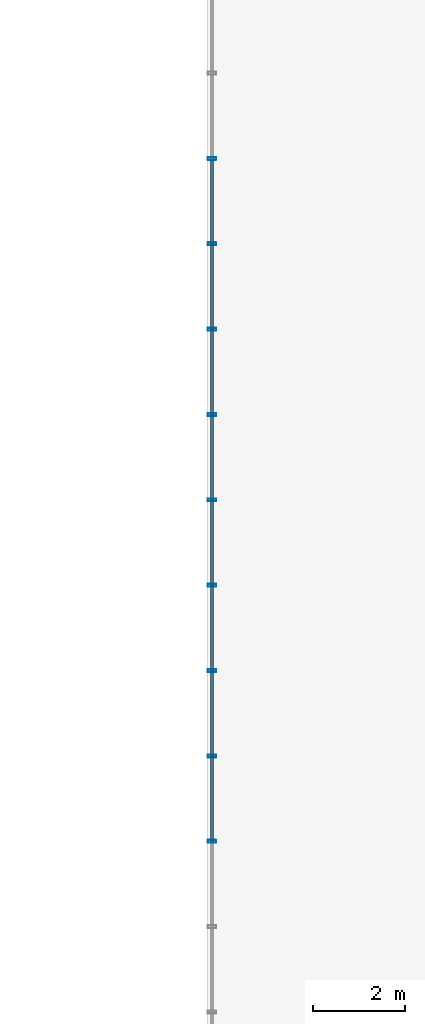
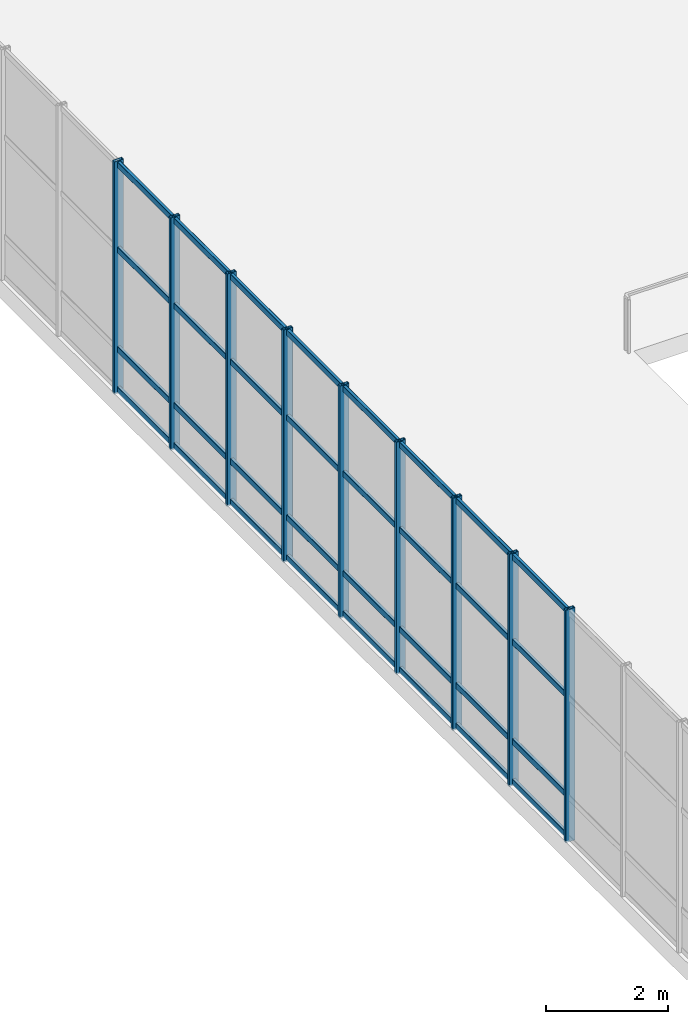
# One storey, part 108 of 176: 41 members, 2 elements without a shape of their own.
"""IFC4 building model written with IfcOpenShell, lengths in metres."""

from ifc_helpers import new_model, si_unit, direction, frame, origin, origin_2d, place, context, subcontext, project, spatial, hollow_rectangle, extrude, material, layer, layer_set, material_profile, profile_set, type_object, element, aggregate, save


model = new_model("IFC4")

# Units and contexts
model_context = context("Model", 3, precision=1e-05, world=origin(), true_north=direction((0.0, 1.0)))
body_context = subcontext(model_context, "Body", "Model", "MODEL_VIEW")
ifc_project = project(units=[si_unit("LENGTHUNIT", "METRE"), si_unit("AREAUNIT", "SQUARE_METRE"), si_unit("VOLUMEUNIT", "CUBIC_METRE"), si_unit("PLANEANGLEUNIT", "RADIAN"), si_unit("MASSUNIT", "GRAM", prefix="KILO")], contexts=[model_context])

# Site, building, storey
site_placement = place(None, origin())
site = spatial("IfcSite", under=ifc_project, at=site_placement, CompositionType="ELEMENT")
building_placement = place(site_placement, origin())
building = spatial("IfcBuilding", under=site, at=building_placement, Name="Khorjan Park Terminus", CompositionType="ELEMENT")
storey_placement = place(building_placement, frame((0.0, 0.0, 6.0)))
storey = spatial("IfcBuildingStorey", under=building, at=storey_placement, Name="L01", CompositionType="ELEMENT", Elevation=6.0)

# Curtain wall, members
ifc_material = material(Name="Anodized Bronze Aluminium", Category="aluminium")
ifc_layer = layer(ifc_material, 0.22)
ifc_layer_set = layer_set([ifc_layer], Name="Anodized Bronze Aluminium")
curtain_wall_type = type_object("IfcCurtainWallType", Name="CW-BRG-D", PredefinedType="NOTDEFINED", material=ifc_layer_set)
curtain_wall_1_placement = place(storey_placement, origin())
curtain_wall_1 = element("IfcCurtainWall", 1, at=curtain_wall_1_placement, inside=storey, type_object=curtain_wall_type, Name="Unitized curtain wall CW-D (CW-BRE-W-2)", PredefinedType="NOTDEFINED")
ifc_material_profile_1 = material_profile(ifc_material, hollow_rectangle(XDim=0.065, YDim=0.18, WallThickness=0.004, InnerFilletRadius=0.004, OuterFilletRadius=0.008, at=origin_2d()), Name="ALM 65x180x4")
ifc_profile_set_1 = profile_set([ifc_material_profile_1], Name="Anodized Bronze Aluminium")
member_type_1 = type_object("IfcMemberType", Name="ML-ALM-180", PredefinedType="MULLION", material=ifc_profile_set_1)
member_1_placement = place(storey_placement, frame((98.1, 128.0, -0.035), z_axis=(0.0, 0.0, 1.0), x_axis=(0.0, -1.0, 0.0)))
member_1 = element("IfcMember", 2, at=member_1_placement, type_object=member_type_1, Name="Curtain-wall mullion ML-18 (CW-BRE-W-2-0)", PredefinedType="MULLION", context=body_context, shape_type="SweptSolid", body=[
    extrude(hollow_rectangle(XDim=0.065, YDim=0.18, WallThickness=0.004, InnerFilletRadius=0.004, OuterFilletRadius=0.008, at=origin_2d()), origin(), (0.0, 0.0, 1.0), 4.67),
])
member_2_placement = place(storey_placement, frame((98.1, 126.1429, -0.035), z_axis=(0.0, 0.0, 1.0), x_axis=(0.0, -1.0, 0.0)))
member_2 = element("IfcMember", 3, at=member_2_placement, type_object=member_type_1, Name="Curtain-wall mullion ML-18 (CW-BRE-W-2-1)", PredefinedType="MULLION", context=body_context, shape_type="SweptSolid", body=[
    extrude(hollow_rectangle(XDim=0.065, YDim=0.18, WallThickness=0.004, InnerFilletRadius=0.004, OuterFilletRadius=0.008, at=origin_2d()), origin(), (0.0, 0.0, 1.0), 4.67),
])
member_3_placement = place(storey_placement, frame((98.1, 124.2857, -0.035), z_axis=(0.0, 0.0, 1.0), x_axis=(0.0, -1.0, 0.0)))
member_3 = element("IfcMember", 4, at=member_3_placement, type_object=member_type_1, Name="Curtain-wall mullion ML-18 (CW-BRE-W-2-2)", PredefinedType="MULLION", context=body_context, shape_type="SweptSolid", body=[
    extrude(hollow_rectangle(XDim=0.065, YDim=0.18, WallThickness=0.004, InnerFilletRadius=0.004, OuterFilletRadius=0.008, at=origin_2d()), origin(), (0.0, 0.0, 1.0), 4.67),
])
member_4_placement = place(storey_placement, frame((98.1, 122.4286, -0.035), z_axis=(0.0, 0.0, 1.0), x_axis=(0.0, -1.0, 0.0)))
member_4 = element("IfcMember", 5, at=member_4_placement, type_object=member_type_1, Name="Curtain-wall mullion ML-18 (CW-BRE-W-2-3)", PredefinedType="MULLION", context=body_context, shape_type="SweptSolid", body=[
    extrude(hollow_rectangle(XDim=0.065, YDim=0.18, WallThickness=0.004, InnerFilletRadius=0.004, OuterFilletRadius=0.008, at=origin_2d()), origin(), (0.0, 0.0, 1.0), 4.67),
])
member_5_placement = place(storey_placement, frame((98.1, 120.5714, -0.035), z_axis=(0.0, 0.0, 1.0), x_axis=(0.0, -1.0, 0.0)))
member_5 = element("IfcMember", 6, at=member_5_placement, type_object=member_type_1, Name="Curtain-wall mullion ML-18 (CW-BRE-W-2-4)", PredefinedType="MULLION", context=body_context, shape_type="SweptSolid", body=[
    extrude(hollow_rectangle(XDim=0.065, YDim=0.18, WallThickness=0.004, InnerFilletRadius=0.004, OuterFilletRadius=0.008, at=origin_2d()), origin(), (0.0, 0.0, 1.0), 4.67),
])
member_6_placement = place(storey_placement, frame((98.1, 118.7143, -0.035), z_axis=(0.0, 0.0, 1.0), x_axis=(0.0, -1.0, 0.0)))
member_6 = element("IfcMember", 7, at=member_6_placement, type_object=member_type_1, Name="Curtain-wall mullion ML-18 (CW-BRE-W-2-5)", PredefinedType="MULLION", context=body_context, shape_type="SweptSolid", body=[
    extrude(hollow_rectangle(XDim=0.065, YDim=0.18, WallThickness=0.004, InnerFilletRadius=0.004, OuterFilletRadius=0.008, at=origin_2d()), origin(), (0.0, 0.0, 1.0), 4.67),
])

curtain_wall_2_placement = place(storey_placement, origin())
curtain_wall_2 = element("IfcCurtainWall", 8, at=curtain_wall_2_placement, inside=storey, type_object=curtain_wall_type, Name="Unitized curtain wall CW-D (CW-BRE-W-3)", PredefinedType="NOTDEFINED")
member_7_placement = place(storey_placement, frame((98.1, 133.5714, -0.035), z_axis=(0.0, 0.0, 1.0), x_axis=(0.0, -1.0, 0.0)))
member_7 = element("IfcMember", 9, at=member_7_placement, type_object=member_type_1, Name="Curtain-wall mullion ML-18 (CW-BRE-W-3-4)", PredefinedType="MULLION", context=body_context, shape_type="SweptSolid", body=[
    extrude(hollow_rectangle(XDim=0.065, YDim=0.18, WallThickness=0.004, InnerFilletRadius=0.004, OuterFilletRadius=0.008, at=origin_2d()), origin(), (0.0, 0.0, 1.0), 4.67),
])
member_8_placement = place(storey_placement, frame((98.1, 131.7143, -0.035), z_axis=(0.0, 0.0, 1.0), x_axis=(0.0, -1.0, 0.0)))
member_8 = element("IfcMember", 10, at=member_8_placement, type_object=member_type_1, Name="Curtain-wall mullion ML-18 (CW-BRE-W-3-5)", PredefinedType="MULLION", context=body_context, shape_type="SweptSolid", body=[
    extrude(hollow_rectangle(XDim=0.065, YDim=0.18, WallThickness=0.004, InnerFilletRadius=0.004, OuterFilletRadius=0.008, at=origin_2d()), origin(), (0.0, 0.0, 1.0), 4.67),
])
member_9_placement = place(storey_placement, frame((98.1, 129.8571, -0.035), z_axis=(0.0, 0.0, 1.0), x_axis=(0.0, -1.0, 0.0)))
member_9 = element("IfcMember", 11, at=member_9_placement, type_object=member_type_1, Name="Curtain-wall mullion ML-18 (CW-BRE-W-3-6)", PredefinedType="MULLION", context=body_context, shape_type="SweptSolid", body=[
    extrude(hollow_rectangle(XDim=0.065, YDim=0.18, WallThickness=0.004, InnerFilletRadius=0.004, OuterFilletRadius=0.008, at=origin_2d()), origin(), (0.0, 0.0, 1.0), 4.67),
])

# Member
ifc_material_profile_2 = material_profile(ifc_material, hollow_rectangle(XDim=0.06, YDim=0.12, WallThickness=0.004, InnerFilletRadius=0.004, OuterFilletRadius=0.008, at=origin_2d()), Name="ALT 60x120x4")
ifc_profile_set_2 = profile_set([ifc_material_profile_2], Name="Anodized Bronze Aluminium")
member_type_2 = type_object("IfcMemberType", Name="TR-ALT-120", PredefinedType="USERDEFINED", material=ifc_profile_set_2)
member_10_placement = place(storey_placement, frame((98.1, 128.0, 0.04), z_axis=(0.0, -1.0, 0.0), x_axis=(1.0, 0.0, 0.0)))
member_10 = element("IfcMember", 12, at=member_10_placement, type_object=member_type_2, Name="Curtain-wall transom TR-12 (CW-BRE-W-2-0-1)", ObjectType="TRANSOM", PredefinedType="USERDEFINED", context=body_context, shape_type="SweptSolid", body=[
    extrude(hollow_rectangle(XDim=0.06, YDim=0.12, WallThickness=0.004, InnerFilletRadius=0.004, OuterFilletRadius=0.008, at=origin_2d()), origin(), (0.0, 0.0, 1.0), 1.8571),
])

member_11_placement = place(storey_placement, frame((98.1, 128.0, 0.85), z_axis=(0.0, -1.0, 0.0), x_axis=(1.0, 0.0, 0.0)))
member_11 = element("IfcMember", 13, at=member_11_placement, type_object=member_type_2, Name="Curtain-wall transom TR-12 (CW-BRE-W-2-0-2)", ObjectType="TRANSOM", PredefinedType="USERDEFINED", context=body_context, shape_type="SweptSolid", body=[
    extrude(hollow_rectangle(XDim=0.06, YDim=0.12, WallThickness=0.004, InnerFilletRadius=0.004, OuterFilletRadius=0.008, at=origin_2d()), origin(), (0.0, 0.0, 1.0), 1.8571),
])

member_12_placement = place(storey_placement, frame((98.1, 128.0, 2.852), z_axis=(0.0, -1.0, 0.0), x_axis=(1.0, 0.0, 0.0)))
member_12 = element("IfcMember", 14, at=member_12_placement, type_object=member_type_2, Name="Curtain-wall transom TR-12 (CW-BRE-W-2-0-3)", ObjectType="TRANSOM", PredefinedType="USERDEFINED", context=body_context, shape_type="SweptSolid", body=[
    extrude(hollow_rectangle(XDim=0.06, YDim=0.12, WallThickness=0.004, InnerFilletRadius=0.004, OuterFilletRadius=0.008, at=origin_2d()), origin(), (0.0, 0.0, 1.0), 1.8571),
])

member_13_placement = place(storey_placement, frame((98.1, 128.0, 4.56), z_axis=(0.0, -1.0, 0.0), x_axis=(1.0, 0.0, 0.0)))
member_13 = element("IfcMember", 15, at=member_13_placement, type_object=member_type_2, Name="Curtain-wall transom TR-12 (CW-BRE-W-2-0-4)", ObjectType="TRANSOM", PredefinedType="USERDEFINED", context=body_context, shape_type="SweptSolid", body=[
    extrude(hollow_rectangle(XDim=0.06, YDim=0.12, WallThickness=0.004, InnerFilletRadius=0.004, OuterFilletRadius=0.008, at=origin_2d()), origin(), (0.0, 0.0, 1.0), 1.8571),
])

member_14_placement = place(storey_placement, frame((98.1, 126.1429, 0.04), z_axis=(0.0, -1.0, 0.0), x_axis=(1.0, 0.0, 0.0)))
member_14 = element("IfcMember", 16, at=member_14_placement, type_object=member_type_2, Name="Curtain-wall transom TR-12 (CW-BRE-W-2-1-1)", ObjectType="TRANSOM", PredefinedType="USERDEFINED", context=body_context, shape_type="SweptSolid", body=[
    extrude(hollow_rectangle(XDim=0.06, YDim=0.12, WallThickness=0.004, InnerFilletRadius=0.004, OuterFilletRadius=0.008, at=origin_2d()), origin(), (0.0, 0.0, 1.0), 1.8572),
])

member_15_placement = place(storey_placement, frame((98.1, 126.1429, 0.85), z_axis=(0.0, -1.0, 0.0), x_axis=(1.0, 0.0, 0.0)))
member_15 = element("IfcMember", 17, at=member_15_placement, type_object=member_type_2, Name="Curtain-wall transom TR-12 (CW-BRE-W-2-1-2)", ObjectType="TRANSOM", PredefinedType="USERDEFINED", context=body_context, shape_type="SweptSolid", body=[
    extrude(hollow_rectangle(XDim=0.06, YDim=0.12, WallThickness=0.004, InnerFilletRadius=0.004, OuterFilletRadius=0.008, at=origin_2d()), origin(), (0.0, 0.0, 1.0), 1.8572),
])

member_16_placement = place(storey_placement, frame((98.1, 126.1429, 2.852), z_axis=(0.0, -1.0, 0.0), x_axis=(1.0, 0.0, 0.0)))
member_16 = element("IfcMember", 18, at=member_16_placement, type_object=member_type_2, Name="Curtain-wall transom TR-12 (CW-BRE-W-2-1-3)", ObjectType="TRANSOM", PredefinedType="USERDEFINED", context=body_context, shape_type="SweptSolid", body=[
    extrude(hollow_rectangle(XDim=0.06, YDim=0.12, WallThickness=0.004, InnerFilletRadius=0.004, OuterFilletRadius=0.008, at=origin_2d()), origin(), (0.0, 0.0, 1.0), 1.8572),
])

member_17_placement = place(storey_placement, frame((98.1, 126.1429, 4.56), z_axis=(0.0, -1.0, 0.0), x_axis=(1.0, 0.0, 0.0)))
member_17 = element("IfcMember", 19, at=member_17_placement, type_object=member_type_2, Name="Curtain-wall transom TR-12 (CW-BRE-W-2-1-4)", ObjectType="TRANSOM", PredefinedType="USERDEFINED", context=body_context, shape_type="SweptSolid", body=[
    extrude(hollow_rectangle(XDim=0.06, YDim=0.12, WallThickness=0.004, InnerFilletRadius=0.004, OuterFilletRadius=0.008, at=origin_2d()), origin(), (0.0, 0.0, 1.0), 1.8572),
])

member_18_placement = place(storey_placement, frame((98.1, 124.2857, 0.04), z_axis=(0.0, -1.0, 0.0), x_axis=(1.0, 0.0, 0.0)))
member_18 = element("IfcMember", 20, at=member_18_placement, type_object=member_type_2, Name="Curtain-wall transom TR-12 (CW-BRE-W-2-2-1)", ObjectType="TRANSOM", PredefinedType="USERDEFINED", context=body_context, shape_type="SweptSolid", body=[
    extrude(hollow_rectangle(XDim=0.06, YDim=0.12, WallThickness=0.004, InnerFilletRadius=0.004, OuterFilletRadius=0.008, at=origin_2d()), origin(), (0.0, 0.0, 1.0), 1.8571),
])

member_19_placement = place(storey_placement, frame((98.1, 124.2857, 0.85), z_axis=(0.0, -1.0, 0.0), x_axis=(1.0, 0.0, 0.0)))
member_19 = element("IfcMember", 21, at=member_19_placement, type_object=member_type_2, Name="Curtain-wall transom TR-12 (CW-BRE-W-2-2-2)", ObjectType="TRANSOM", PredefinedType="USERDEFINED", context=body_context, shape_type="SweptSolid", body=[
    extrude(hollow_rectangle(XDim=0.06, YDim=0.12, WallThickness=0.004, InnerFilletRadius=0.004, OuterFilletRadius=0.008, at=origin_2d()), origin(), (0.0, 0.0, 1.0), 1.8571),
])

member_20_placement = place(storey_placement, frame((98.1, 124.2857, 2.852), z_axis=(0.0, -1.0, 0.0), x_axis=(1.0, 0.0, 0.0)))
member_20 = element("IfcMember", 22, at=member_20_placement, type_object=member_type_2, Name="Curtain-wall transom TR-12 (CW-BRE-W-2-2-3)", ObjectType="TRANSOM", PredefinedType="USERDEFINED", context=body_context, shape_type="SweptSolid", body=[
    extrude(hollow_rectangle(XDim=0.06, YDim=0.12, WallThickness=0.004, InnerFilletRadius=0.004, OuterFilletRadius=0.008, at=origin_2d()), origin(), (0.0, 0.0, 1.0), 1.8571),
])

member_21_placement = place(storey_placement, frame((98.1, 124.2857, 4.56), z_axis=(0.0, -1.0, 0.0), x_axis=(1.0, 0.0, 0.0)))
member_21 = element("IfcMember", 23, at=member_21_placement, type_object=member_type_2, Name="Curtain-wall transom TR-12 (CW-BRE-W-2-2-4)", ObjectType="TRANSOM", PredefinedType="USERDEFINED", context=body_context, shape_type="SweptSolid", body=[
    extrude(hollow_rectangle(XDim=0.06, YDim=0.12, WallThickness=0.004, InnerFilletRadius=0.004, OuterFilletRadius=0.008, at=origin_2d()), origin(), (0.0, 0.0, 1.0), 1.8571),
])

member_22_placement = place(storey_placement, frame((98.1, 122.4286, 0.04), z_axis=(0.0, -1.0, 0.0), x_axis=(1.0, 0.0, 0.0)))
member_22 = element("IfcMember", 24, at=member_22_placement, type_object=member_type_2, Name="Curtain-wall transom TR-12 (CW-BRE-W-2-3-1)", ObjectType="TRANSOM", PredefinedType="USERDEFINED", context=body_context, shape_type="SweptSolid", body=[
    extrude(hollow_rectangle(XDim=0.06, YDim=0.12, WallThickness=0.004, InnerFilletRadius=0.004, OuterFilletRadius=0.008, at=origin_2d()), origin(), (0.0, 0.0, 1.0), 1.8572),
])

member_23_placement = place(storey_placement, frame((98.1, 122.4286, 0.85), z_axis=(0.0, -1.0, 0.0), x_axis=(1.0, 0.0, 0.0)))
member_23 = element("IfcMember", 25, at=member_23_placement, type_object=member_type_2, Name="Curtain-wall transom TR-12 (CW-BRE-W-2-3-2)", ObjectType="TRANSOM", PredefinedType="USERDEFINED", context=body_context, shape_type="SweptSolid", body=[
    extrude(hollow_rectangle(XDim=0.06, YDim=0.12, WallThickness=0.004, InnerFilletRadius=0.004, OuterFilletRadius=0.008, at=origin_2d()), origin(), (0.0, 0.0, 1.0), 1.8572),
])

member_24_placement = place(storey_placement, frame((98.1, 122.4286, 2.852), z_axis=(0.0, -1.0, 0.0), x_axis=(1.0, 0.0, 0.0)))
member_24 = element("IfcMember", 26, at=member_24_placement, type_object=member_type_2, Name="Curtain-wall transom TR-12 (CW-BRE-W-2-3-3)", ObjectType="TRANSOM", PredefinedType="USERDEFINED", context=body_context, shape_type="SweptSolid", body=[
    extrude(hollow_rectangle(XDim=0.06, YDim=0.12, WallThickness=0.004, InnerFilletRadius=0.004, OuterFilletRadius=0.008, at=origin_2d()), origin(), (0.0, 0.0, 1.0), 1.8572),
])

member_25_placement = place(storey_placement, frame((98.1, 122.4286, 4.56), z_axis=(0.0, -1.0, 0.0), x_axis=(1.0, 0.0, 0.0)))
member_25 = element("IfcMember", 27, at=member_25_placement, type_object=member_type_2, Name="Curtain-wall transom TR-12 (CW-BRE-W-2-3-4)", ObjectType="TRANSOM", PredefinedType="USERDEFINED", context=body_context, shape_type="SweptSolid", body=[
    extrude(hollow_rectangle(XDim=0.06, YDim=0.12, WallThickness=0.004, InnerFilletRadius=0.004, OuterFilletRadius=0.008, at=origin_2d()), origin(), (0.0, 0.0, 1.0), 1.8572),
])

member_26_placement = place(storey_placement, frame((98.1, 120.5714, 0.04), z_axis=(0.0, -1.0, 0.0), x_axis=(1.0, 0.0, 0.0)))
member_26 = element("IfcMember", 28, at=member_26_placement, type_object=member_type_2, Name="Curtain-wall transom TR-12 (CW-BRE-W-2-4-1)", ObjectType="TRANSOM", PredefinedType="USERDEFINED", context=body_context, shape_type="SweptSolid", body=[
    extrude(hollow_rectangle(XDim=0.06, YDim=0.12, WallThickness=0.004, InnerFilletRadius=0.004, OuterFilletRadius=0.008, at=origin_2d()), origin(), (0.0, 0.0, 1.0), 1.8571),
])

member_27_placement = place(storey_placement, frame((98.1, 120.5714, 0.85), z_axis=(0.0, -1.0, 0.0), x_axis=(1.0, 0.0, 0.0)))
member_27 = element("IfcMember", 29, at=member_27_placement, type_object=member_type_2, Name="Curtain-wall transom TR-12 (CW-BRE-W-2-4-2)", ObjectType="TRANSOM", PredefinedType="USERDEFINED", context=body_context, shape_type="SweptSolid", body=[
    extrude(hollow_rectangle(XDim=0.06, YDim=0.12, WallThickness=0.004, InnerFilletRadius=0.004, OuterFilletRadius=0.008, at=origin_2d()), origin(), (0.0, 0.0, 1.0), 1.8571),
])

member_28_placement = place(storey_placement, frame((98.1, 120.5714, 2.852), z_axis=(0.0, -1.0, 0.0), x_axis=(1.0, 0.0, 0.0)))
member_28 = element("IfcMember", 30, at=member_28_placement, type_object=member_type_2, Name="Curtain-wall transom TR-12 (CW-BRE-W-2-4-3)", ObjectType="TRANSOM", PredefinedType="USERDEFINED", context=body_context, shape_type="SweptSolid", body=[
    extrude(hollow_rectangle(XDim=0.06, YDim=0.12, WallThickness=0.004, InnerFilletRadius=0.004, OuterFilletRadius=0.008, at=origin_2d()), origin(), (0.0, 0.0, 1.0), 1.8571),
])

member_29_placement = place(storey_placement, frame((98.1, 120.5714, 4.56), z_axis=(0.0, -1.0, 0.0), x_axis=(1.0, 0.0, 0.0)))
member_29 = element("IfcMember", 31, at=member_29_placement, type_object=member_type_2, Name="Curtain-wall transom TR-12 (CW-BRE-W-2-4-4)", ObjectType="TRANSOM", PredefinedType="USERDEFINED", context=body_context, shape_type="SweptSolid", body=[
    extrude(hollow_rectangle(XDim=0.06, YDim=0.12, WallThickness=0.004, InnerFilletRadius=0.004, OuterFilletRadius=0.008, at=origin_2d()), origin(), (0.0, 0.0, 1.0), 1.8571),
])

aggregate(curtain_wall_1, [member_1, member_2, member_3, member_4, member_5, member_6, member_10, member_11, member_12, member_13, member_14, member_15, member_16, member_17, member_18, member_19, member_20, member_21, member_22, member_23, member_24, member_25, member_26, member_27, member_28, member_29])

member_30_placement = place(storey_placement, frame((98.1, 133.5714, 0.04), z_axis=(0.0, -1.0, 0.0), x_axis=(1.0, 0.0, 0.0)))
member_30 = element("IfcMember", 32, at=member_30_placement, type_object=member_type_2, Name="Curtain-wall transom TR-12 (CW-BRE-W-3-4-1)", ObjectType="TRANSOM", PredefinedType="USERDEFINED", context=body_context, shape_type="SweptSolid", body=[
    extrude(hollow_rectangle(XDim=0.06, YDim=0.12, WallThickness=0.004, InnerFilletRadius=0.004, OuterFilletRadius=0.008, at=origin_2d()), origin(), (0.0, 0.0, 1.0), 1.8571),
])

member_31_placement = place(storey_placement, frame((98.1, 133.5714, 0.85), z_axis=(0.0, -1.0, 0.0), x_axis=(1.0, 0.0, 0.0)))
member_31 = element("IfcMember", 33, at=member_31_placement, type_object=member_type_2, Name="Curtain-wall transom TR-12 (CW-BRE-W-3-4-2)", ObjectType="TRANSOM", PredefinedType="USERDEFINED", context=body_context, shape_type="SweptSolid", body=[
    extrude(hollow_rectangle(XDim=0.06, YDim=0.12, WallThickness=0.004, InnerFilletRadius=0.004, OuterFilletRadius=0.008, at=origin_2d()), origin(), (0.0, 0.0, 1.0), 1.8571),
])

member_32_placement = place(storey_placement, frame((98.1, 133.5714, 2.852), z_axis=(0.0, -1.0, 0.0), x_axis=(1.0, 0.0, 0.0)))
member_32 = element("IfcMember", 34, at=member_32_placement, type_object=member_type_2, Name="Curtain-wall transom TR-12 (CW-BRE-W-3-4-3)", ObjectType="TRANSOM", PredefinedType="USERDEFINED", context=body_context, shape_type="SweptSolid", body=[
    extrude(hollow_rectangle(XDim=0.06, YDim=0.12, WallThickness=0.004, InnerFilletRadius=0.004, OuterFilletRadius=0.008, at=origin_2d()), origin(), (0.0, 0.0, 1.0), 1.8571),
])

member_33_placement = place(storey_placement, frame((98.1, 133.5714, 4.56), z_axis=(0.0, -1.0, 0.0), x_axis=(1.0, 0.0, 0.0)))
member_33 = element("IfcMember", 35, at=member_33_placement, type_object=member_type_2, Name="Curtain-wall transom TR-12 (CW-BRE-W-3-4-4)", ObjectType="TRANSOM", PredefinedType="USERDEFINED", context=body_context, shape_type="SweptSolid", body=[
    extrude(hollow_rectangle(XDim=0.06, YDim=0.12, WallThickness=0.004, InnerFilletRadius=0.004, OuterFilletRadius=0.008, at=origin_2d()), origin(), (0.0, 0.0, 1.0), 1.8571),
])

member_34_placement = place(storey_placement, frame((98.1, 131.7143, 0.04), z_axis=(0.0, -1.0, 0.0), x_axis=(1.0, 0.0, 0.0)))
member_34 = element("IfcMember", 36, at=member_34_placement, type_object=member_type_2, Name="Curtain-wall transom TR-12 (CW-BRE-W-3-5-1)", ObjectType="TRANSOM", PredefinedType="USERDEFINED", context=body_context, shape_type="SweptSolid", body=[
    extrude(hollow_rectangle(XDim=0.06, YDim=0.12, WallThickness=0.004, InnerFilletRadius=0.004, OuterFilletRadius=0.008, at=origin_2d()), origin(), (0.0, 0.0, 1.0), 1.8572),
])

member_35_placement = place(storey_placement, frame((98.1, 131.7143, 0.85), z_axis=(0.0, -1.0, 0.0), x_axis=(1.0, 0.0, 0.0)))
member_35 = element("IfcMember", 37, at=member_35_placement, type_object=member_type_2, Name="Curtain-wall transom TR-12 (CW-BRE-W-3-5-2)", ObjectType="TRANSOM", PredefinedType="USERDEFINED", context=body_context, shape_type="SweptSolid", body=[
    extrude(hollow_rectangle(XDim=0.06, YDim=0.12, WallThickness=0.004, InnerFilletRadius=0.004, OuterFilletRadius=0.008, at=origin_2d()), origin(), (0.0, 0.0, 1.0), 1.8572),
])

member_36_placement = place(storey_placement, frame((98.1, 131.7143, 2.852), z_axis=(0.0, -1.0, 0.0), x_axis=(1.0, 0.0, 0.0)))
member_36 = element("IfcMember", 38, at=member_36_placement, type_object=member_type_2, Name="Curtain-wall transom TR-12 (CW-BRE-W-3-5-3)", ObjectType="TRANSOM", PredefinedType="USERDEFINED", context=body_context, shape_type="SweptSolid", body=[
    extrude(hollow_rectangle(XDim=0.06, YDim=0.12, WallThickness=0.004, InnerFilletRadius=0.004, OuterFilletRadius=0.008, at=origin_2d()), origin(), (0.0, 0.0, 1.0), 1.8572),
])

member_37_placement = place(storey_placement, frame((98.1, 131.7143, 4.56), z_axis=(0.0, -1.0, 0.0), x_axis=(1.0, 0.0, 0.0)))
member_37 = element("IfcMember", 39, at=member_37_placement, type_object=member_type_2, Name="Curtain-wall transom TR-12 (CW-BRE-W-3-5-4)", ObjectType="TRANSOM", PredefinedType="USERDEFINED", context=body_context, shape_type="SweptSolid", body=[
    extrude(hollow_rectangle(XDim=0.06, YDim=0.12, WallThickness=0.004, InnerFilletRadius=0.004, OuterFilletRadius=0.008, at=origin_2d()), origin(), (0.0, 0.0, 1.0), 1.8572),
])

member_38_placement = place(storey_placement, frame((98.1, 129.8571, 0.04), z_axis=(0.0, -1.0, 0.0), x_axis=(1.0, 0.0, 0.0)))
member_38 = element("IfcMember", 40, at=member_38_placement, type_object=member_type_2, Name="Curtain-wall transom TR-12 (CW-BRE-W-3-6-1)", ObjectType="TRANSOM", PredefinedType="USERDEFINED", context=body_context, shape_type="SweptSolid", body=[
    extrude(hollow_rectangle(XDim=0.06, YDim=0.12, WallThickness=0.004, InnerFilletRadius=0.004, OuterFilletRadius=0.008, at=origin_2d()), origin(), (0.0, 0.0, 1.0), 1.8571),
])

member_39_placement = place(storey_placement, frame((98.1, 129.8571, 0.85), z_axis=(0.0, -1.0, 0.0), x_axis=(1.0, 0.0, 0.0)))
member_39 = element("IfcMember", 41, at=member_39_placement, type_object=member_type_2, Name="Curtain-wall transom TR-12 (CW-BRE-W-3-6-2)", ObjectType="TRANSOM", PredefinedType="USERDEFINED", context=body_context, shape_type="SweptSolid", body=[
    extrude(hollow_rectangle(XDim=0.06, YDim=0.12, WallThickness=0.004, InnerFilletRadius=0.004, OuterFilletRadius=0.008, at=origin_2d()), origin(), (0.0, 0.0, 1.0), 1.8571),
])

member_40_placement = place(storey_placement, frame((98.1, 129.8571, 2.852), z_axis=(0.0, -1.0, 0.0), x_axis=(1.0, 0.0, 0.0)))
member_40 = element("IfcMember", 42, at=member_40_placement, type_object=member_type_2, Name="Curtain-wall transom TR-12 (CW-BRE-W-3-6-3)", ObjectType="TRANSOM", PredefinedType="USERDEFINED", context=body_context, shape_type="SweptSolid", body=[
    extrude(hollow_rectangle(XDim=0.06, YDim=0.12, WallThickness=0.004, InnerFilletRadius=0.004, OuterFilletRadius=0.008, at=origin_2d()), origin(), (0.0, 0.0, 1.0), 1.8571),
])

member_41_placement = place(storey_placement, frame((98.1, 129.8571, 4.56), z_axis=(0.0, -1.0, 0.0), x_axis=(1.0, 0.0, 0.0)))
member_41 = element("IfcMember", 43, at=member_41_placement, type_object=member_type_2, Name="Curtain-wall transom TR-12 (CW-BRE-W-3-6-4)", ObjectType="TRANSOM", PredefinedType="USERDEFINED", context=body_context, shape_type="SweptSolid", body=[
    extrude(hollow_rectangle(XDim=0.06, YDim=0.12, WallThickness=0.004, InnerFilletRadius=0.004, OuterFilletRadius=0.008, at=origin_2d()), origin(), (0.0, 0.0, 1.0), 1.8571),
])

aggregate(curtain_wall_2, [member_7, member_8, member_9, member_30, member_31, member_32, member_33, member_34, member_35, member_36, member_37, member_38, member_39, member_40, member_41])

save(model, "model.ifc")
